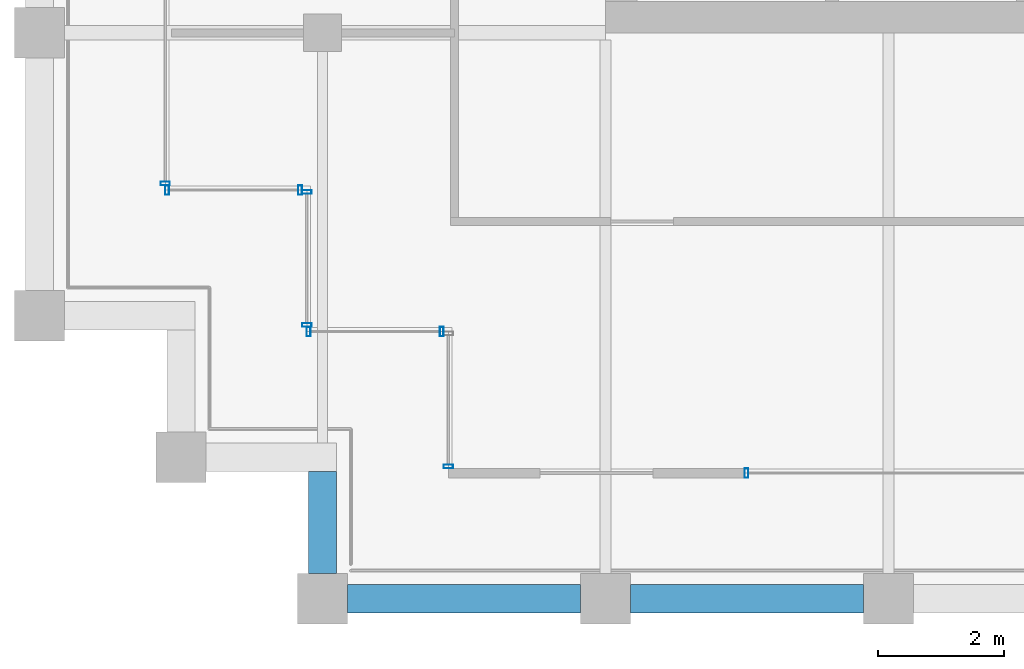
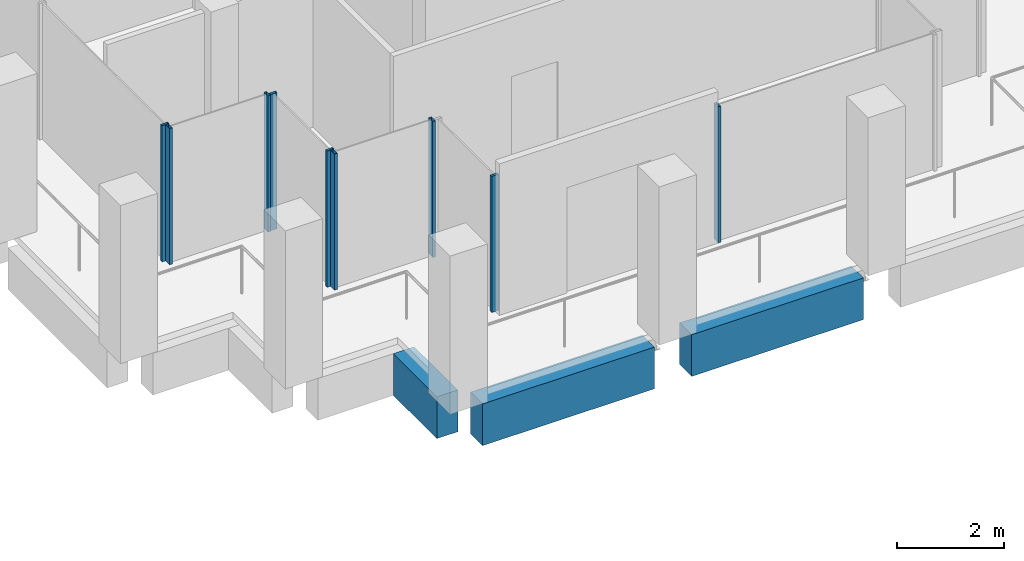
# One storey, part 28 of 41: 9 members, 3 beams, 6 elements without a shape of their own.
"""IFC4 building model written with IfcOpenShell, lengths in metres."""

import ifcopenshell
import ifcopenshell.guid

model = None  # the IFC model being written
_history = None  # IfcOwnerHistory: only IFC2X3 demands one
_inside = {}  # id of a spatial element -> (the spatial element, [elements in it])
_under = {}  # id of a project, library or spatial element -> (it, [spatial elements below it])
_declared = {}  # id of a project -> (the project, [libraries it declares])
_typed = {}  # id of a type object -> (the type object, [elements of that type])
_made_of = {}  # id of a material, layer set ... -> (it, [elements and type objects made of it])


def new_model(schema):
    """Start an empty IFC model of exactly this schema.

    Asked for "IFC4X3", IfcOpenShell would pick the latest addendum, in which some entities
    have other attributes; the version numbers below select the first issue.
    IFC2X3 requires an IfcOwnerHistory on every rooted entity: one is made here for all.
    """
    global model, _history
    if schema == "IFC4X3":
        model = ifcopenshell.file(schema_version=(4, 3, 0, 0))
    else:
        model = ifcopenshell.file(schema=schema)
    _inside.clear()
    _under.clear()
    _declared.clear()
    _typed.clear()
    _made_of.clear()
    _history = None
    if model.schema == "IFC2X3":
        org = make("IfcOrganization", Name="unknown")
        user = make(
            "IfcPersonAndOrganization",
            ThePerson=make("IfcPerson", FamilyName="unknown"),
            TheOrganization=org,
        )
        app = make(
            "IfcApplication",
            ApplicationDeveloper=org,
            Version="unknown",
            ApplicationFullName="unknown",
            ApplicationIdentifier="unknown",
        )
        _history = make(
            "IfcOwnerHistory",
            OwningUser=user,
            OwningApplication=app,
            ChangeAction="ADDED",
            CreationDate=0,
        )
    return model


def make(cls, **values):
    """One entity of the class cls with the attributes given. An attribute that is None is left unset."""
    return model.create_entity(
        cls, **{name: value for name, value in values.items() if value is not None}
    )


def rooted(cls, **values):
    """An entity with a GlobalId (a new one), such as an element, a storey or a relation."""
    return make(cls, GlobalId=ifcopenshell.guid.new(), OwnerHistory=_history, **values)


def si_unit(unit_type, name, prefix=None):
    """IfcSIUnit, for example si_unit("LENGTHUNIT", "METRE", prefix="MILLI")."""
    return make("IfcSIUnit", UnitType=unit_type, Prefix=prefix, Name=name)


def assignment(units):
    """IfcUnitAssignment: the units of a project."""
    return None if units is None else make("IfcUnitAssignment", Units=units)


def point(xyz):
    """IfcCartesianPoint."""
    return None if xyz is None else make("IfcCartesianPoint", Coordinates=xyz)


def direction(xyz):
    """IfcDirection."""
    return None if xyz is None else make("IfcDirection", DirectionRatios=xyz)


def frame(location, z_axis=None, x_axis=None):
    """IfcAxis2Placement3D, a coordinate frame: its origin and axes. An axis left out is left unset."""
    return make(
        "IfcAxis2Placement3D",
        Location=point(location),
        Axis=direction(z_axis),
        RefDirection=direction(x_axis),
    )


def frame_2d(location, x_axis=None):
    """IfcAxis2Placement2D, a coordinate frame in the plane: its origin and x axis."""
    return make(
        "IfcAxis2Placement2D", Location=point(location), RefDirection=direction(x_axis)
    )


def origin():
    """The frame at (0, 0, 0) with its axes left unset."""
    return frame((0.0, 0.0, 0.0))


def origin_2d():
    """The frame at (0, 0) in the plane with its x axis left unset."""
    return frame_2d((0.0, 0.0))


def place(relative_to, where):
    """IfcLocalPlacement: puts the frame where relative to a parent placement (None: the world)."""
    return make(
        "IfcLocalPlacement", PlacementRelTo=relative_to, RelativePlacement=where
    )


def context(
    kind, dimensions, precision=None, world=None, true_north=None, identifier=None
):
    """IfcGeometricRepresentationContext, for example the 3D "Model" context."""
    return make(
        "IfcGeometricRepresentationContext",
        ContextIdentifier=identifier,
        ContextType=kind,
        CoordinateSpaceDimension=dimensions,
        Precision=precision,
        WorldCoordinateSystem=world,
        TrueNorth=true_north,
    )


def subcontext(parent, identifier, kind, view, scale=None):
    """IfcGeometricRepresentationSubContext, for example "Body" below "Model"."""
    return make(
        "IfcGeometricRepresentationSubContext",
        ContextIdentifier=identifier,
        ContextType=kind,
        ParentContext=parent,
        TargetScale=scale,
        TargetView=view,
    )


def project(units=None, contexts=None):
    """IfcProject with its units and contexts."""
    return rooted(
        "IfcProject",
        Name="project",
        RepresentationContexts=contexts,
        UnitsInContext=assignment(units),
    )


def spatial(cls, under=None, at=None, **own):
    """A site, building, storey or space (cls), placed at a placement, below another one or the project."""
    s = rooted(cls, ObjectPlacement=at, **own)
    if under is not None:
        _under.setdefault(under.id(), (under, []))[1].append(s)
    return s


def profile(cls, at=None, kind="AREA", **sizes):
    """A parametric profile (cls). Its sizes go by their IFC names, for example OverallWidth=200.0."""
    return make(cls, ProfileType=kind, Position=at, **sizes)


def rectangle(**sizes):
    """IfcRectangleProfileDef."""
    return profile("IfcRectangleProfileDef", **sizes)


def hollow_rectangle(**sizes):
    """IfcRectangleHollowProfileDef."""
    return profile("IfcRectangleHollowProfileDef", **sizes)


def extrude(swept, where, along, depth):
    """IfcExtrudedAreaSolid: the profile swept, set in the frame where, extruded along a direction by depth."""
    return make(
        "IfcExtrudedAreaSolid",
        SweptArea=swept,
        Position=where,
        ExtrudedDirection=direction(along),
        Depth=depth,
    )


def shape(context_of_items, identifier, shape_type, items):
    """IfcShapeRepresentation: the items that make up one representation, for example the "Body"."""
    return make(
        "IfcShapeRepresentation",
        ContextOfItems=context_of_items,
        RepresentationIdentifier=identifier,
        RepresentationType=shape_type,
        Items=items,
    )


def material(Name=None, Category=None):
    """IfcMaterial."""
    return make("IfcMaterial", Name=Name, Category=Category)


def material_profile(
    of_material, cross_section, Name=None, Category=None, Priority=None
):
    """IfcMaterialProfile: a cross section and its material."""
    return make(
        "IfcMaterialProfile",
        Name=Name,
        Material=of_material,
        Profile=cross_section,
        Priority=Priority,
        Category=Category,
    )


def profile_set(profiles, Name=None, composite=None):
    """IfcMaterialProfileSet."""
    return make(
        "IfcMaterialProfileSet",
        Name=Name,
        MaterialProfiles=profiles,
        CompositeProfile=composite,
    )


def made_of(thing, what):
    """Note that an element or type object is made of a material, layer set ...; save() writes the relation."""
    if what is not None:
        _made_of.setdefault(what.id(), (what, []))[1].append(thing)
    return thing


def type_object(cls, material=None, **own):
    """A type object (cls), such as IfcWallType, which elements share."""
    return made_of(rooted(cls, **own), material)


def element(
    cls,
    number,
    at=None,
    inside=None,
    cuts=None,
    type_object=None,
    material=None,
    context=None,
    identifier="Body",
    shape_type=None,
    held_by="IfcProductDefinitionShape",
    body=None,
    shapes=None,
    **own,
):
    """One element of the class cls, such as IfcWall. Its Tag is "e" and its number.

    at: its placement. inside: the storey or other place that contains it. cuts: it is an
    opening in that element (IfcRelVoidsElement). A single representation is given by context,
    identifier, shape_type and body (its items); several are given by shapes. held_by: the class
    of the entity that holds the representations. save() writes the other relations.
    """
    e = rooted(cls, Tag="e%d" % number, ObjectPlacement=at, **own)
    if body is not None:
        shapes = [shape(context, identifier, shape_type, body)]
    if shapes is not None:
        e.Representation = make(held_by, Representations=shapes)
    if inside is not None:
        _inside.setdefault(inside.id(), (inside, []))[1].append(e)
    if cuts is not None:
        rooted(
            "IfcRelVoidsElement", RelatingBuildingElement=cuts, RelatedOpeningElement=e
        )
    if type_object is not None:
        _typed.setdefault(type_object.id(), (type_object, []))[1].append(e)
    return made_of(e, material)


def aggregate(whole, parts):
    """IfcRelAggregates: a whole, such as a stair, and the parts it consists of."""
    return rooted("IfcRelAggregates", RelatingObject=whole, RelatedObjects=parts)


def save(model, path):
    """Write the relations noted so far, then the file.

    IfcRelAggregates (storeys below a building ...), IfcRelContainedInSpatialStructure (elements
    in a storey), IfcRelDefinesByType, IfcRelAssociatesMaterial and IfcRelDeclares: one each for
    every whole, place, type object, material and project.
    """
    for whole, parts in _under.values():
        aggregate(whole, parts)
    for where, things in _inside.values():
        rooted(
            "IfcRelContainedInSpatialStructure",
            RelatedElements=things,
            RelatingStructure=where,
        )
    for kind, things in _typed.values():
        rooted("IfcRelDefinesByType", RelatedObjects=things, RelatingType=kind)
    for what, things in _made_of.values():
        rooted("IfcRelAssociatesMaterial", RelatedObjects=things, RelatingMaterial=what)
    for by, libraries in _declared.values():
        rooted("IfcRelDeclares", RelatingContext=by, RelatedDefinitions=libraries)
    model.write(path)


model = new_model("IFC4")

# Units and contexts
model_context = context("Model", 3, precision=1e-05, world=origin(), true_north=direction((0.0, 1.0)))
body_context = subcontext(model_context, "Body", "Model", "MODEL_VIEW")
ifc_project = project(units=[si_unit("LENGTHUNIT", "METRE"), si_unit("AREAUNIT", "SQUARE_METRE"), si_unit("VOLUMEUNIT", "CUBIC_METRE"), si_unit("PLANEANGLEUNIT", "RADIAN"), si_unit("MASSUNIT", "GRAM", prefix="KILO")], contexts=[model_context])

# Site, building, storey
site_placement = place(None, origin())
site = spatial("IfcSite", under=ifc_project, at=site_placement, CompositionType="ELEMENT")
building_placement = place(site_placement, origin())
building = spatial("IfcBuilding", under=site, at=building_placement, Name="Altepetl Exchange Towers", CompositionType="ELEMENT")
storey_placement = place(building_placement, frame((0.0, 0.0, 206.39990234375)))
storey = spatial("IfcBuildingStorey", under=building, at=storey_placement, Name="L52", CompositionType="ELEMENT", Elevation=206.39990234375)

# Curtain wall, member
ifc_material_1 = material(Name="Aluminium 6063-T6 glazing", Category="aluminium")
curtain_wall_type = type_object("IfcCurtainWallType", Name="Loggia glazing system", PredefinedType="NOTDEFINED", material=ifc_material_1)
curtain_wall_1_placement = place(storey_placement, origin())
curtain_wall_1 = element("IfcCurtainWall", 1, at=curtain_wall_1_placement, inside=storey, type_object=curtain_wall_type, Name="CW1 run", PredefinedType="NOTDEFINED")
ifc_material_2 = material(Name="Aluminium 6063-T6", Category="aluminium")
ifc_material_profile_1 = material_profile(ifc_material_2, hollow_rectangle(XDim=0.06005859375, YDim=0.14990234375, WallThickness=0.0029296875, at=origin_2d()), Name="Mullion 60x150 aluminium")
ifc_profile_set_1 = profile_set([ifc_material_profile_1], Name="Aluminium 6063-T6")
member_type = type_object("IfcMemberType", Name="Mullion 60x150 aluminium", PredefinedType="MULLION", material=ifc_profile_set_1)
member_1_placement = place(storey_placement, frame((101.0, 29.10498046875, 0.0), z_axis=(0.0, 0.0, 1.0), x_axis=(0.0, -1.0, 0.0)))
member_1 = element("IfcMember", 2, at=member_1_placement, type_object=member_type, Name="MU1 mullion", PredefinedType="MULLION", context=body_context, shape_type="SweptSolid", body=[
    extrude(hollow_rectangle(XDim=0.06005859375, YDim=0.14990234375, WallThickness=0.0029296875, at=origin_2d()), origin(), (0.0, 0.0, 1.0), 3.10009765625),
])
aggregate(curtain_wall_1, [member_1])

curtain_wall_2_placement = place(storey_placement, origin())
curtain_wall_2 = element("IfcCurtainWall", 3, at=curtain_wall_2_placement, inside=storey, type_object=curtain_wall_type, Name="CW1 run", PredefinedType="NOTDEFINED")
member_2_placement = place(storey_placement, frame((105.742431640625, 29.0, 0.0)))
member_2 = element("IfcMember", 4, at=member_2_placement, type_object=member_type, Name="MU1 mullion", PredefinedType="MULLION", context=body_context, shape_type="SweptSolid", body=[
    extrude(hollow_rectangle(XDim=0.06005859375, YDim=0.14990234375, WallThickness=0.0029296875, at=origin_2d()), origin(), (0.0, 0.0, 1.0), 3.10009765625),
])
aggregate(curtain_wall_2, [member_2])

curtain_wall_3_placement = place(storey_placement, origin())
curtain_wall_3 = element("IfcCurtainWall", 5, at=curtain_wall_3_placement, inside=storey, type_object=curtain_wall_type, Name="CW1 run", PredefinedType="NOTDEFINED")
member_3_placement = place(storey_placement, frame((96.5, 33.60498046875, 0.0), z_axis=(0.0, 0.0, 1.0), x_axis=(0.0, -1.0, 0.0)))
member_3 = element("IfcMember", 6, at=member_3_placement, type_object=member_type, Name="MU1 mullion", PredefinedType="MULLION", context=body_context, shape_type="SweptSolid", body=[
    extrude(hollow_rectangle(XDim=0.06005859375, YDim=0.14990234375, WallThickness=0.0029296875, at=origin_2d()), origin(), (0.0, 0.0, 1.0), 3.10009765625),
])
aggregate(curtain_wall_3, [member_3])

# Curtain wall, members
curtain_wall_4_placement = place(storey_placement, origin())
curtain_wall_4 = element("IfcCurtainWall", 7, at=curtain_wall_4_placement, inside=storey, type_object=curtain_wall_type, Name="CW1 run", PredefinedType="NOTDEFINED")
member_4_placement = place(storey_placement, frame((96.530029296875, 33.5, 0.0)))
member_4 = element("IfcMember", 8, at=member_4_placement, type_object=member_type, Name="MU1 mullion", PredefinedType="MULLION", context=body_context, shape_type="SweptSolid", body=[
    extrude(hollow_rectangle(XDim=0.06005859375, YDim=0.14990234375, WallThickness=0.0029296875, at=origin_2d()), origin(), (0.0, 0.0, 1.0), 3.10009765625),
])
member_5_placement = place(storey_placement, frame((98.64501953125, 33.5, 0.0)))
member_5 = element("IfcMember", 9, at=member_5_placement, type_object=member_type, Name="MU1 mullion", PredefinedType="MULLION", context=body_context, shape_type="SweptSolid", body=[
    extrude(hollow_rectangle(XDim=0.06005859375, YDim=0.14990234375, WallThickness=0.0029296875, at=origin_2d()), origin(), (0.0, 0.0, 1.0), 3.10009765625),
])
aggregate(curtain_wall_4, [member_4, member_5])

curtain_wall_5_placement = place(storey_placement, origin())
curtain_wall_5 = element("IfcCurtainWall", 10, at=curtain_wall_5_placement, inside=storey, type_object=curtain_wall_type, Name="CW1 run", PredefinedType="NOTDEFINED")
member_6_placement = place(storey_placement, frame((98.75, 33.469970703125, 0.0), z_axis=(0.0, 0.0, 1.0), x_axis=(0.0, -1.0, 0.0)))
member_6 = element("IfcMember", 11, at=member_6_placement, type_object=member_type, Name="MU1 mullion", PredefinedType="MULLION", context=body_context, shape_type="SweptSolid", body=[
    extrude(hollow_rectangle(XDim=0.06005859375, YDim=0.14990234375, WallThickness=0.0029296875, at=origin_2d()), origin(), (0.0, 0.0, 1.0), 3.10009765625),
])
member_7_placement = place(storey_placement, frame((98.75, 31.35498046875, 0.0), z_axis=(0.0, 0.0, 1.0), x_axis=(0.0, -1.0, 0.0)))
member_7 = element("IfcMember", 12, at=member_7_placement, type_object=member_type, Name="MU1 mullion", PredefinedType="MULLION", context=body_context, shape_type="SweptSolid", body=[
    extrude(hollow_rectangle(XDim=0.06005859375, YDim=0.14990234375, WallThickness=0.0029296875, at=origin_2d()), origin(), (0.0, 0.0, 1.0), 3.10009765625),
])
aggregate(curtain_wall_5, [member_6, member_7])

curtain_wall_6_placement = place(storey_placement, origin())
curtain_wall_6 = element("IfcCurtainWall", 13, at=curtain_wall_6_placement, inside=storey, type_object=curtain_wall_type, Name="CW1 run", PredefinedType="NOTDEFINED")
member_8_placement = place(storey_placement, frame((98.780029296875, 31.25, 0.0)))
member_8 = element("IfcMember", 14, at=member_8_placement, type_object=member_type, Name="MU1 mullion", PredefinedType="MULLION", context=body_context, shape_type="SweptSolid", body=[
    extrude(hollow_rectangle(XDim=0.06005859375, YDim=0.14990234375, WallThickness=0.0029296875, at=origin_2d()), origin(), (0.0, 0.0, 1.0), 3.10009765625),
])
member_9_placement = place(storey_placement, frame((100.89501953125, 31.25, 0.0)))
member_9 = element("IfcMember", 15, at=member_9_placement, type_object=member_type, Name="MU1 mullion", PredefinedType="MULLION", context=body_context, shape_type="SweptSolid", body=[
    extrude(hollow_rectangle(XDim=0.06005859375, YDim=0.14990234375, WallThickness=0.0029296875, at=origin_2d()), origin(), (0.0, 0.0, 1.0), 3.10009765625),
])
aggregate(curtain_wall_6, [member_8, member_9])

# Beams
ifc_material_3 = material(Name="Concrete C50/60 precast with tezontle facing", Category="concrete")
ifc_material_profile_2 = material_profile(ifc_material_3, rectangle(XDim=0.449951171875, YDim=0.949951171875, at=origin_2d()), Name="450 x 950")
ifc_profile_set_2 = profile_set([ifc_material_profile_2], Name="Concrete C50/60 precast with tezontle facing")
beam_type = type_object("IfcBeamType", Name="Spandrel beam 450x950 tezontle", PredefinedType="SPANDREL", material=ifc_profile_set_2)
for number, where, z_axis, x_axis, name in (
    (16, (99.39990234375, 27.0, -0.625), (1.0, 0.0, 0.0), (0.0, 1.0, 0.0), "sp:B:L52:000"),
    (17, (103.89990234375, 27.0, -0.625), (1.0, 0.0, 0.0), (0.0, 1.0, 0.0), "sp:B:L52:001"),
):
    element("IfcBeam", number, at=place(storey_placement, frame(where, z_axis=z_axis, x_axis=x_axis)), inside=storey, type_object=beam_type, Name=name, PredefinedType="SPANDREL", context=body_context, shape_type="SweptSolid", body=[
        extrude(rectangle(XDim=0.449951171875, YDim=0.949951171875, at=origin_2d()), origin(), (0.0, 0.0, 1.0), 3.7001953125),
    ])
beam_placement = place(storey_placement, frame((99.0, 29.02490234375, -0.625), z_axis=(0.0, -1.0, 0.0), x_axis=(1.0, 0.0, 0.0)))
element("IfcBeam", 18, at=beam_placement, inside=storey, type_object=beam_type, Name="sp:B:L52:023", PredefinedType="SPANDREL", context=body_context, shape_type="SweptSolid", body=[
    extrude(rectangle(XDim=0.449951171875, YDim=0.949951171875, at=origin_2d()), origin(), (0.0, 0.0, 1.0), 1.625),
])

save(model, "model.ifc")
